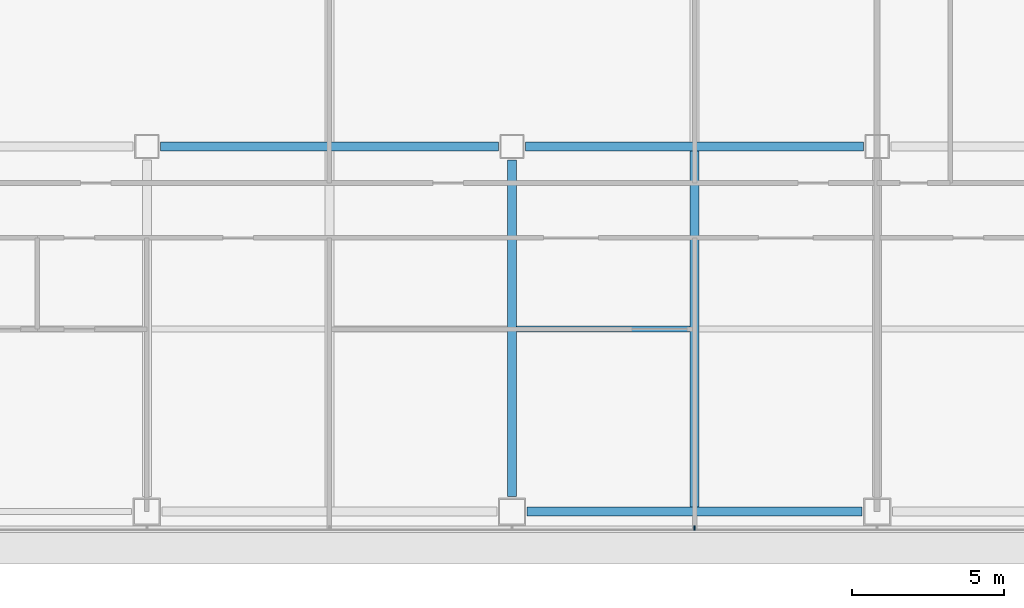
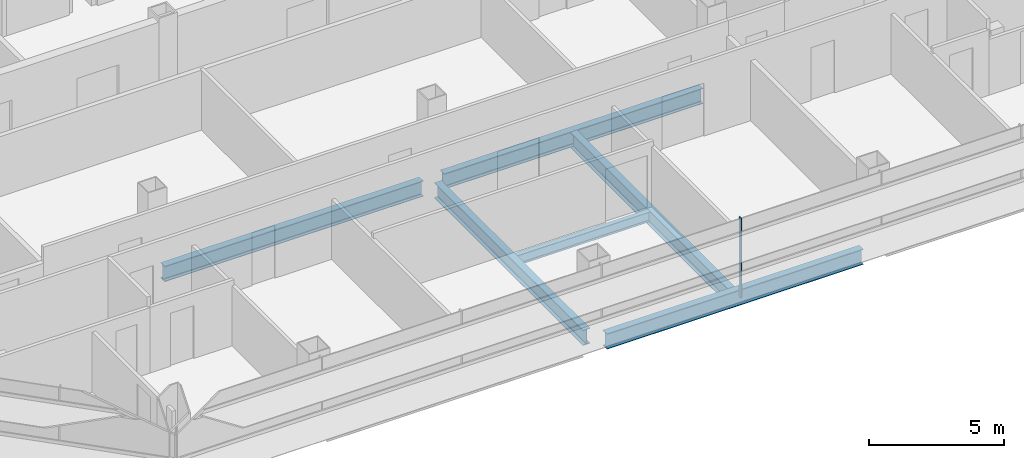
# One storey, part 3 of 27: 6 beams, 1 member, 1 element without a shape of its own.
"""IFC4 building model written with IfcOpenShell, lengths in metres."""

from ifc_helpers import new_model, si_unit, direction, frame, origin, origin_2d, place, context, subcontext, project, spatial, rectangle, i_section, extrude, material, material_profile, profile_set, type_object, element, aggregate, save


model = new_model("IFC4")

# Units and contexts
model_context = context("Model", 3, precision=1e-05, world=origin(), true_north=direction((0.0, 1.0)))
body_context = subcontext(model_context, "Body", "Model", "MODEL_VIEW")
ifc_project = project(units=[si_unit("LENGTHUNIT", "METRE"), si_unit("AREAUNIT", "SQUARE_METRE"), si_unit("VOLUMEUNIT", "CUBIC_METRE"), si_unit("PLANEANGLEUNIT", "RADIAN"), si_unit("MASSUNIT", "GRAM", prefix="KILO")], contexts=[model_context])

# Site, building, storey
site_placement = place(None, origin())
site = spatial("IfcSite", under=ifc_project, at=site_placement, CompositionType="ELEMENT")
building_placement = place(site_placement, origin())
building = spatial("IfcBuilding", under=site, at=building_placement, Name="Sorahane Residences", CompositionType="ELEMENT")
storey_placement = place(building_placement, frame((0.0, 0.0, 49.800048828125)))
storey = spatial("IfcBuildingStorey", under=building, at=storey_placement, Name="L08", CompositionType="ELEMENT", Elevation=49.800048828125)

# Curtain wall, member
ifc_material_1 = material(Name="Dark low-e glass and black anodised aluminium", Category="aluminium")
curtain_wall_type = type_object("IfcCurtainWallType", Name="Curtain wall CW-1 Typical unitised wall", PredefinedType="NOTDEFINED", material=ifc_material_1)
curtain_wall_placement = place(storey_placement, origin())
curtain_wall = element("IfcCurtainWall", 1, at=curtain_wall_placement, inside=storey, type_object=curtain_wall_type, Name="CW-1 curtain wall L08 S1", PredefinedType="NOTDEFINED")
ifc_material_2 = material(Name="Black anodised aluminium", Category="aluminium")
ifc_material_profile_1 = material_profile(ifc_material_2, rectangle(XDim=0.159912109375, YDim=0.050048828125, at=origin_2d()), Name="Curtain wall mullion CW-1 black anodised aluminium 50x160")
ifc_profile_set_1 = profile_set([ifc_material_profile_1], Name="Black anodised aluminium")
member_type = type_object("IfcMemberType", Name="Curtain wall mullion CW-1 black anodised aluminium 50x160", PredefinedType="MULLION", material=ifc_profile_set_1)
member_placement = place(storey_placement, frame((30.0, -0.5400390625, -0.179931640625), z_axis=(0.0, 0.0, 1.0), x_axis=(0.0, -1.0, 0.0)))
member = element("IfcMember", 2, at=member_placement, type_object=member_type, Name="CW-1 mullion L08 S1.5", PredefinedType="MULLION", context=body_context, shape_type="SweptSolid", body=[
    extrude(rectangle(XDim=0.159912109375, YDim=0.050048828125, at=origin_2d()), origin(), (0.0, 0.0, 1.0), 3.599853515625),
])
aggregate(curtain_wall, [member])

# Beams
ifc_material_3 = material(Name="Steel Q355B", Category="steel")
ifc_material_profile_2 = material_profile(ifc_material_3, i_section(OverallWidth=0.199951171875, OverallDepth=0.449951171875, WebThickness=0.009033203125, FlangeThickness=0.013916015625, FilletRadius=0.02001953125, at=origin_2d()), Name="HN 450x200x9x14")
ifc_profile_set_2 = profile_set([ifc_material_profile_2], Name="Steel Q355B")
beam_type_1 = type_object("IfcBeamType", Name="Steel floor beam HN 450x200x9x14 Q355B", PredefinedType="BEAM", material=ifc_profile_set_2)
beam_1_placement = place(storey_placement, frame((24.14990234375, 6.0, -0.405029296875), z_axis=(1.0, 0.0, 0.0), x_axis=(0.0, 1.0, 0.0)))
element("IfcBeam", 3, at=beam_1_placement, inside=storey, type_object=beam_type_1, Name="Beam L08 065", PredefinedType="BEAM", context=body_context, shape_type="SweptSolid", body=[
    extrude(i_section(OverallWidth=0.199951171875, OverallDepth=0.449951171875, WebThickness=0.009033203125, FlangeThickness=0.013916015625, FilletRadius=0.02001953125, at=origin_2d()), origin(), (0.0, 0.0, 1.0), 5.7001953125),
])
ifc_material_4 = material(Name="Steel Q355B", Category="steel")
ifc_material_profile_3 = material_profile(ifc_material_4, i_section(OverallWidth=0.300048828125, OverallDepth=0.699951171875, WebThickness=0.012939453125, FlangeThickness=0.02392578125, FilletRadius=0.028076171875, at=origin_2d()), Name="HN 700x300x13x24")
ifc_profile_set_3 = profile_set([ifc_material_profile_3], Name="Steel Q355B")
beam_type_2 = type_object("IfcBeamType", Name="Steel floor beam HN 700x300x13x24 Q355B", PredefinedType="BEAM", material=ifc_profile_set_3)
beam_2_placement = place(storey_placement, frame((24.5, 0.0, -0.530029296875), z_axis=(1.0, 0.0, 0.0), x_axis=(0.0, 1.0, 0.0)))
element("IfcBeam", 4, at=beam_2_placement, inside=storey, type_object=beam_type_2, Name="Beam L08 002", PredefinedType="BEAM", context=body_context, shape_type="SweptSolid", body=[
    extrude(i_section(OverallWidth=0.300048828125, OverallDepth=0.699951171875, WebThickness=0.012939453125, FlangeThickness=0.02392578125, FilletRadius=0.028076171875, at=origin_2d()), origin(), (0.0, 0.0, 1.0), 11.0),
])
for number, where, z_axis, x_axis, name in (
    (5, (12.449951171875, 12.0, -0.530029296875), (1.0, 0.0, 0.0), (0.0, 1.0, 0.0), "Beam L08 006"),
    (6, (24.449951171875, 12.0, -0.530029296875), (1.0, 0.0, 0.0), (0.0, 1.0, 0.0), "Beam L08 007"),
):
    element("IfcBeam", number, at=place(storey_placement, frame(where, z_axis=z_axis, x_axis=x_axis)), inside=storey, type_object=beam_type_2, Name=name, PredefinedType="BEAM", context=body_context, shape_type="SweptSolid", body=[
        extrude(i_section(OverallWidth=0.300048828125, OverallDepth=0.699951171875, WebThickness=0.012939453125, FlangeThickness=0.02392578125, FilletRadius=0.028076171875, at=origin_2d()), origin(), (0.0, 0.0, 1.0), 11.10009765625),
    ])
beam_3_placement = place(storey_placement, frame((24.0, 0.5, -0.530029296875), z_axis=(0.0, 1.0, 0.0), x_axis=(-1.0, 0.0, 0.0)))
element("IfcBeam", 7, at=beam_3_placement, inside=storey, type_object=beam_type_2, Name="Beam L08 035", PredefinedType="BEAM", context=body_context, shape_type="SweptSolid", body=[
    extrude(i_section(OverallWidth=0.300048828125, OverallDepth=0.699951171875, WebThickness=0.012939453125, FlangeThickness=0.02392578125, FilletRadius=0.028076171875, at=origin_2d()), origin(), (0.0, 0.0, 1.0), 11.050048828125),
])
beam_4_placement = place(storey_placement, frame((30.0, 0.14990234375, -0.530029296875), z_axis=(0.0, 1.0, 0.0), x_axis=(-1.0, 0.0, 0.0)))
element("IfcBeam", 8, at=beam_4_placement, inside=storey, type_object=beam_type_2, Name="Beam L08 037", PredefinedType="BEAM", context=body_context, shape_type="SweptSolid", body=[
    extrude(i_section(OverallWidth=0.300048828125, OverallDepth=0.699951171875, WebThickness=0.012939453125, FlangeThickness=0.02392578125, FilletRadius=0.028076171875, at=origin_2d()), origin(), (0.0, 0.0, 1.0), 11.7001953125),
])

save(model, "model.ifc")
